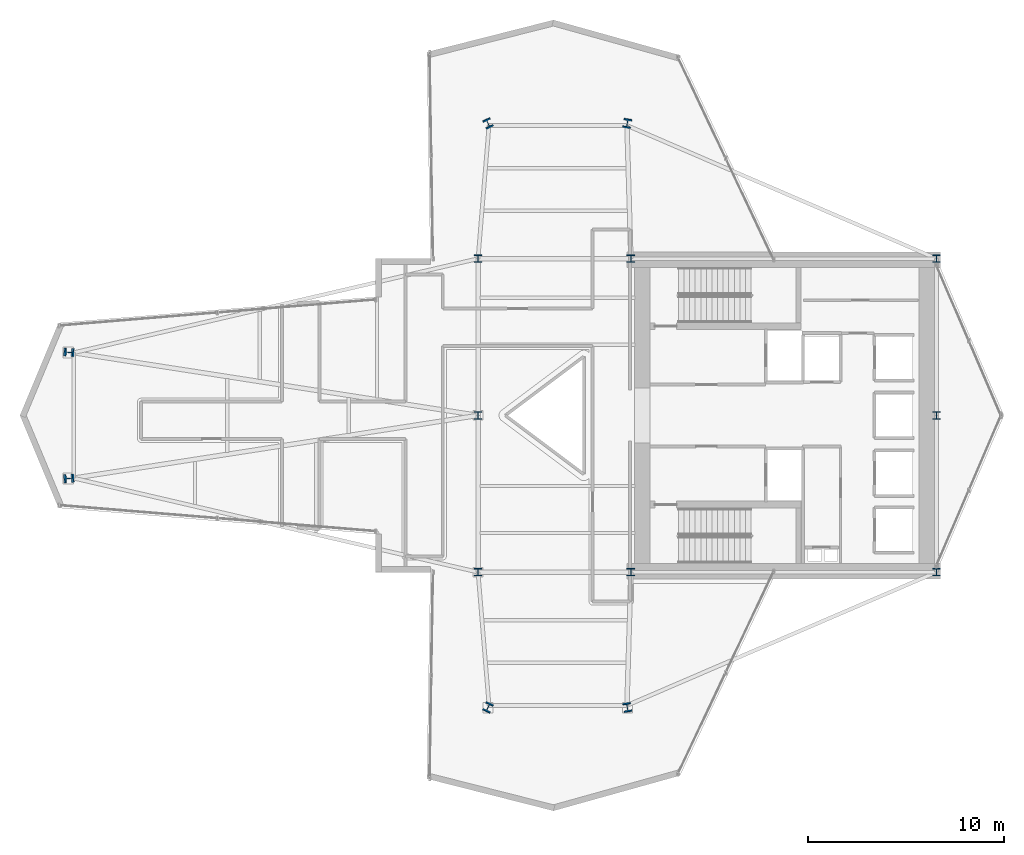
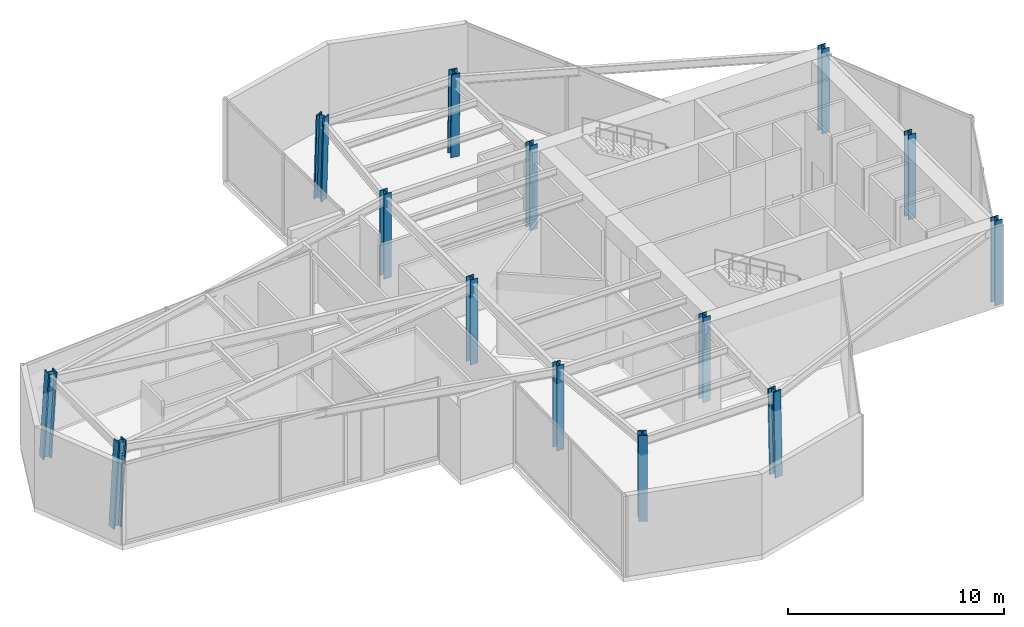
# One storey, part 1 of 13: 14 columns.
"""IFC4 building model written with IfcOpenShell, lengths in metres."""

from ifc_helpers import new_model, si_unit, direction, frame, origin, origin_2d, place, context, subcontext, project, spatial, i_section, extrude, material, material_profile, profile_set, type_object, element, save


model = new_model("IFC4")

# Units and contexts
model_context = context("Model", 3, precision=1e-05, world=origin(), true_north=direction((0.0, 1.0)))
body_context = subcontext(model_context, "Body", "Model", "MODEL_VIEW")
ifc_project = project(units=[si_unit("LENGTHUNIT", "METRE"), si_unit("AREAUNIT", "SQUARE_METRE"), si_unit("VOLUMEUNIT", "CUBIC_METRE"), si_unit("PLANEANGLEUNIT", "RADIAN"), si_unit("MASSUNIT", "GRAM", prefix="KILO")], contexts=[model_context])

# Site, building, storey
site_placement = place(None, origin())
site = spatial("IfcSite", under=ifc_project, at=site_placement, CompositionType="ELEMENT")
building_placement = place(site_placement, origin())
building = spatial("IfcBuilding", under=site, at=building_placement, Name="Veymaron Broadcast Tower", CompositionType="ELEMENT")
storey_placement = place(building_placement, frame((0.0, 0.0, 112.050048828125)))
storey = spatial("IfcBuildingStorey", under=building, at=storey_placement, Name="L25", CompositionType="ELEMENT", Elevation=112.050048828125)

# Columns
ifc_material_1 = material(Name="Structural steel ASTM A992 Gr 50", Category="steel")
ifc_material_profile_1 = material_profile(ifc_material_1, i_section(OverallWidth=0.39794921875, OverallDepth=0.386962890625, WebThickness=0.02099609375, FlangeThickness=0.033203125, at=origin_2d()), Name="W360X262")
ifc_profile_set_1 = profile_set([ifc_material_profile_1], Name="Structural steel ASTM A992 Gr 50")
column_type_1 = type_object("IfcColumnType", Name="COL-HC2", PredefinedType="COLUMN", material=ifc_profile_set_1)
for number, where, z_axis, x_axis, name in (
    (1, (31.199951171875, 16.0, 0.0), (0.0, 0.0, 1.0), (1.0, 0.0, 0.0), "L25 structural hub and core column"),
    (2, (31.199951171875, 24.0, 0.0), (0.0, 0.0, 1.0), (1.0, 0.0, 0.0), "L25 structural hub and core column"),
    (3, (31.199951171875, 32.0, 0.0), (0.0, 0.0, 1.0), (1.0, 0.0, 0.0), "L25 structural hub and core column"),
    (4, (39.0, 16.0, 0.0), (0.0, 0.0, 1.0), (1.0, 0.0, 0.0), "L25 structural hub and core column"),
    (5, (39.0, 32.0, 0.0), (0.0, 0.0, 1.0), (1.0, 0.0, 0.0), "L25 structural hub and core column"),
    (6, (54.60009765625, 16.0, 0.0), (0.0, 0.0, 1.0), (1.0, 0.0, 0.0), "L25 structural hub and core column"),
    (7, (54.60009765625, 24.0, 0.0), (0.0, 0.0, 1.0), (1.0, 0.0, 0.0), "L25 structural hub and core column"),
    (8, (54.60009765625, 32.0, 0.0), (0.0, 0.0, 1.0), (1.0, 0.0, 0.0), "L25 structural hub and core column"),
):
    element("IfcColumn", number, at=place(storey_placement, frame(where, z_axis=z_axis, x_axis=x_axis)), inside=storey, type_object=column_type_1, Name=name, PredefinedType="COLUMN", context=body_context, shape_type="SweptSolid", body=[
        extrude(i_section(OverallWidth=0.39794921875, OverallDepth=0.386962890625, WebThickness=0.02099609375, FlangeThickness=0.033203125, at=origin_2d()), origin(), (0.0, 0.0, 1.0), 4.7939453125),
    ])
ifc_material_2 = material(Name="Structural steel ASTM A913 Gr 65", Category="steel")
ifc_material_profile_2 = material_profile(ifc_material_2, i_section(OverallWidth=0.41796875, OverallDepth=0.455078125, WebThickness=0.0419921875, FlangeThickness=0.067626953125, at=origin_2d()), Name="W360X551")
ifc_profile_set_2 = profile_set([ifc_material_profile_2], Name="Structural steel ASTM A913 Gr 65")
column_type_2 = type_object("IfcColumnType", Name="COL-MC2", PredefinedType="COLUMN", material=ifc_profile_set_2)
for number, where, z_axis, x_axis, name in (
    (9, (10.283935546875, 20.780029296875, 0.015869140625), (0.057813534856, 0.00419160907, 0.998318599246), (-0.072312401922, 0.997382031384, 0.0), "L25 Tapered Wing Mega Column"),
    (10, (10.283935546875, 27.219970703125, 0.015869140625), (0.057813534856, -0.00419160907, 0.998318599246), (0.072312401922, 0.997382031384, 0.0), "L25 Tapered Wing Mega Column"),
):
    element("IfcColumn", number, at=place(storey_placement, frame(where, z_axis=z_axis, x_axis=x_axis)), inside=storey, type_object=column_type_2, Name=name, PredefinedType="COLUMN", context=body_context, shape_type="SweptSolid", body=[
        extrude(i_section(OverallWidth=0.41796875, OverallDepth=0.455078125, WebThickness=0.0419921875, FlangeThickness=0.067626953125, at=origin_2d()), origin(), (0.0, 0.0, 1.0), 4.776123046875),
    ])
column_1_placement = place(storey_placement, frame((31.7041015625, 38.919921875, 0.015869140625), z_axis=(0.011721041346, -0.025131141052, 0.999615447529), x_axis=(0.90627742733, 0.422683362237, 0.0)))
element("IfcColumn", 11, at=column_1_placement, inside=storey, type_object=column_type_2, Name="L25 Tapered Wing Mega Column", PredefinedType="COLUMN", context=body_context, shape_type="SweptSolid", body=[
    extrude(i_section(OverallWidth=0.41796875, OverallDepth=0.455078125, WebThickness=0.0419921875, FlangeThickness=0.067626953125, at=origin_2d()), origin(), (0.0, 0.0, 1.0), 4.77001953125),
])
column_2_placement = place(storey_placement, frame((38.820068359375, 38.919921875, 0.015869140625), z_axis=(-0.004197305464, -0.025132646134, 0.999675313652), x_axis=(0.986339577116, -0.164724735893, 0.0)))
element("IfcColumn", 12, at=column_2_placement, inside=storey, type_object=column_type_2, Name="L25 Tapered Wing Mega Column", PredefinedType="COLUMN", context=body_context, shape_type="SweptSolid", body=[
    extrude(i_section(OverallWidth=0.41796875, OverallDepth=0.455078125, WebThickness=0.0419921875, FlangeThickness=0.067626953125, at=origin_2d()), origin(), (0.0, 0.0, 1.0), 4.76953125),
])
column_3_placement = place(storey_placement, frame((31.7041015625, 9.080078125, 0.015869140625), z_axis=(0.011721041346, 0.025131141052, 0.999615447529), x_axis=(-0.90627742733, 0.422683362237, 0.0)))
element("IfcColumn", 13, at=column_3_placement, inside=storey, type_object=column_type_2, Name="L25 Tapered Wing Mega Column", PredefinedType="COLUMN", context=body_context, shape_type="SweptSolid", body=[
    extrude(i_section(OverallWidth=0.41796875, OverallDepth=0.455078125, WebThickness=0.0419921875, FlangeThickness=0.067626953125, at=origin_2d()), origin(), (0.0, 0.0, 1.0), 4.77001953125),
])
column_4_placement = place(storey_placement, frame((38.820068359375, 9.080078125, 0.015869140625), z_axis=(-0.004197305464, 0.025132646134, 0.999675313652), x_axis=(-0.986339577116, -0.164724735893, 0.0)))
element("IfcColumn", 14, at=column_4_placement, inside=storey, type_object=column_type_2, Name="L25 Tapered Wing Mega Column", PredefinedType="COLUMN", context=body_context, shape_type="SweptSolid", body=[
    extrude(i_section(OverallWidth=0.41796875, OverallDepth=0.455078125, WebThickness=0.0419921875, FlangeThickness=0.067626953125, at=origin_2d()), origin(), (0.0, 0.0, 1.0), 4.76953125),
])

save(model, "model.ifc")
